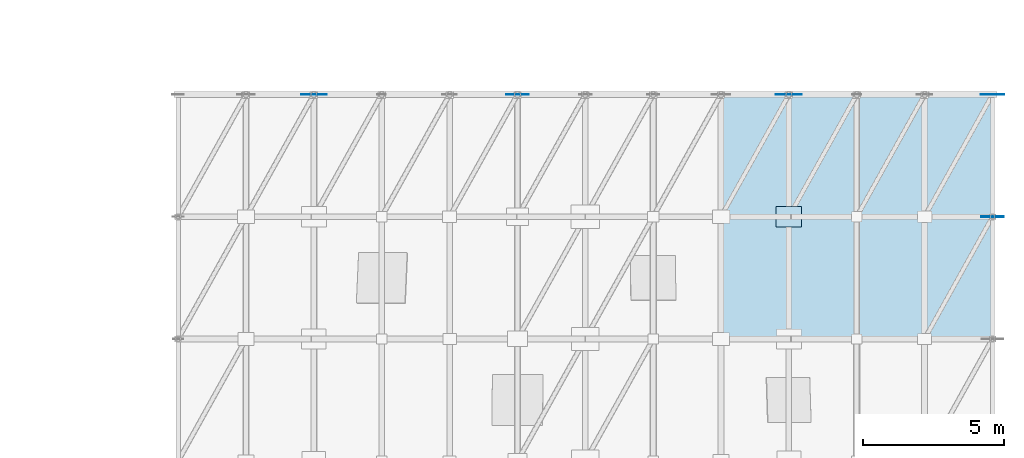
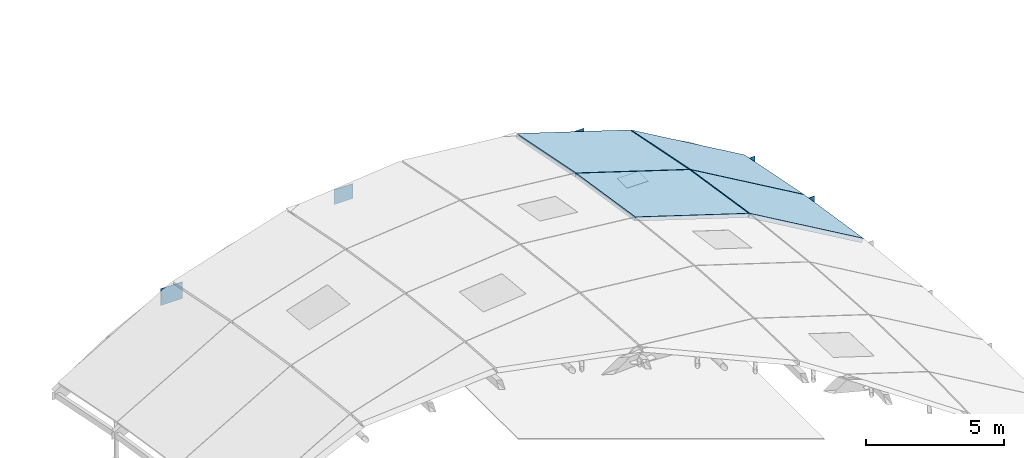
# One storey, part 25 of 35: 6 plates, 4 slabs.
"""IFC4 building model written with IfcOpenShell, lengths in metres."""

from ifc_helpers import new_model, si_unit, direction, frame, origin, origin_2d, place, context, subcontext, project, spatial, polyline, rectangle, outline, extrude, material, layer, layer_set, type_object, element, save


model = new_model("IFC4")

# Units and contexts
model_context = context("Model", 3, precision=1e-05, world=origin(), true_north=direction((0.0, 1.0)))
body_context = subcontext(model_context, "Body", "Model", "MODEL_VIEW")
ifc_project = project(units=[si_unit("LENGTHUNIT", "METRE"), si_unit("AREAUNIT", "SQUARE_METRE"), si_unit("VOLUMEUNIT", "CUBIC_METRE"), si_unit("PLANEANGLEUNIT", "RADIAN"), si_unit("MASSUNIT", "GRAM", prefix="KILO")], contexts=[model_context])

# Site, building, storey
site_placement = place(None, origin())
site = spatial("IfcSite", under=ifc_project, at=site_placement, CompositionType="ELEMENT")
building_placement = place(site_placement, origin())
building = spatial("IfcBuilding", under=site, at=building_placement, Name="Zarrinpeak Specialist Clinic", CompositionType="ELEMENT")
storey_placement = place(building_placement, frame((0.0, 0.0, 31.60009765625)))
storey = spatial("IfcBuildingStorey", under=building, at=storey_placement, Name="RF", CompositionType="ELEMENT", Elevation=31.60009765625)

# Plates
ifc_material_1 = material(Name="Steel S355", Category="steel")
ifc_layer_1 = layer(ifc_material_1, 0.02294921875)
ifc_layer_set_1 = layer_set([ifc_layer_1], Name="Steel S355")
plate_type_1 = type_object("IfcPlateType", Name="PL-ND24", PredefinedType="SHEET", material=ifc_layer_set_1)
for number, where, z_axis, x_axis, name in (
    (1, (105.60009765625, 72.0, -13.244384765625), (0.0, 0.0, 1.0), (1.0, 0.0, 0.0), "V3 Gridshell Hub Node Plate GSN-I05-J10"),
    (2, (122.39990234375, 67.679931640625, -17.06005859375), (0.0, 0.0, 1.0), (1.0, 0.0, 0.0), "V3 Gridshell Hub Node Plate GSN-I12-J09"),
):
    element("IfcPlate", number, at=place(storey_placement, frame(where, z_axis=z_axis, x_axis=x_axis)), inside=storey, type_object=plate_type_1, Name=name, PredefinedType="SHEET", context=body_context, shape_type="SweptSolid", body=[
        extrude(rectangle(XDim=0.7939453125, YDim=0.02294921875, at=origin_2d()), origin(), (0.0, 0.0, 1.0), 0.64794921875),
    ])
ifc_layer_2 = layer(ifc_material_1, 0.014892578125)
ifc_layer_set_2 = layer_set([ifc_layer_2], Name="Steel S355")
plate_type_2 = type_object("IfcPlateType", Name="PL-ND25", PredefinedType="SHEET", material=ifc_layer_set_2)
plate_1_placement = place(storey_placement, frame((122.39990234375, 72.0, -17.9326171875), z_axis=(0.0, 0.0, 1.0), x_axis=(1.0, 0.0, 0.0)))
element("IfcPlate", 3, at=plate_1_placement, inside=storey, type_object=plate_type_2, Name="V3 Gridshell Hub Node Plate GSN-I12-J10", PredefinedType="SHEET", context=body_context, shape_type="SweptSolid", body=[
    extrude(rectangle(XDim=0.81494140625, YDim=0.014892578125, at=origin_2d()), origin(), (0.0, 0.0, 1.0), 0.6650390625),
])
ifc_layer_3 = layer(ifc_material_1, 0.02294921875)
ifc_layer_set_3 = layer_set([ifc_layer_3], Name="Steel S355")
plate_type_3 = type_object("IfcPlateType", Name="PL-ND29", PredefinedType="SHEET", material=ifc_layer_set_3)
plate_2_placement = place(storey_placement, frame((98.39990234375, 72.0, -15.170166015625), z_axis=(0.0, 0.0, 1.0), x_axis=(1.0, 0.0, 0.0)))
element("IfcPlate", 4, at=plate_2_placement, inside=storey, type_object=plate_type_3, Name="V3 Gridshell Hub Node Plate GSN-I02-J10", PredefinedType="SHEET", context=body_context, shape_type="SweptSolid", body=[
    extrude(rectangle(XDim=0.89892578125, YDim=0.02294921875, at=origin_2d()), origin(), (0.0, 0.0, 1.0), 0.73291015625),
])
plate_3_placement = place(storey_placement, frame((115.199951171875, 67.679931640625, -13.052978515625), z_axis=(0.0, 0.0, 1.0), x_axis=(1.0, 0.0, 0.0)))
element("IfcPlate", 5, at=plate_3_placement, inside=storey, type_object=plate_type_3, Name="V3 Gridshell Hub Node Plate GSN-I09-J09", PredefinedType="SHEET", context=body_context, shape_type="SweptSolid", body=[
    extrude(rectangle(XDim=0.89892578125, YDim=0.73291015625, at=origin_2d()), origin(), (0.0, 0.0, 1.0), 0.02294921875),
])
ifc_layer_4 = layer(ifc_material_1, 0.014892578125)
ifc_layer_set_4 = layer_set([ifc_layer_4], Name="Steel S355")
plate_type_4 = type_object("IfcPlateType", Name="PL-ND30", PredefinedType="SHEET", material=ifc_layer_set_4)
plate_4_placement = place(storey_placement, frame((115.199951171875, 72.0, -14.280517578125), z_axis=(0.0, 0.0, 1.0), x_axis=(1.0, 0.0, 0.0)))
element("IfcPlate", 6, at=plate_4_placement, inside=storey, type_object=plate_type_4, Name="V3 Gridshell Hub Node Plate GSN-I09-J10", PredefinedType="SHEET", context=body_context, shape_type="SweptSolid", body=[
    extrude(rectangle(XDim=0.919921875, YDim=0.014892578125, at=origin_2d()), origin(), (0.0, 0.0, 1.0), 0.75),
])

# Slabs
ifc_material_2 = material(Name="Precast concrete C40/50", Category="concrete")
ifc_layer_5 = layer(ifc_material_2, 0.1650390625)
ifc_layer_set_5 = layer_set([ifc_layer_5], Name="Precast concrete C40/50")
slab_type_1 = type_object("IfcSlabType", Name="SL-GS165", PredefinedType="ROOF", material=ifc_layer_set_5)
slab_1_placement = place(storey_placement, frame((112.83203125, 63.3720703125, -11.2373046875), z_axis=(0.298336454683, 0.146725332873, 0.943115600815), x_axis=(0.953434513091, -3.400593e-06, -0.301600114779)))
element("IfcSlab", 7, at=slab_1_placement, inside=storey, type_object=slab_type_1, Name="V3 Translational Gridshell Vault Roof Panel K04-J08", PredefinedType="ROOF", context=body_context, shape_type="SweptSolid", body=[
    extrude(outline(polyline([(0.0, 0.0), (4.967357037046617, 2.7755575615628914e-17), (5.168949145792098, 4.342918235055775), (0.20151847590495878, 4.342884081244538), (0.0, 0.0)])), origin(), (0.0, 0.0, -1.0), 0.1650390625),
])
slab_2_placement = place(storey_placement, frame((112.83203125, 67.69189453125, -11.90966796875), z_axis=(0.296285619767, 0.187289929447, 0.936556092205), x_axis=(0.953427294255, 0.0, -0.301622934422)))
element("IfcSlab", 8, at=slab_2_placement, inside=storey, type_object=slab_type_1, Name="V3 Translational Gridshell Vault Roof Panel K04-J09", PredefinedType="ROOF", context=body_context, shape_type="SweptSolid", body=[
    extrude(outline(polyline([(0.0, 0.0), (4.9674306713386525, 0.0), (5.2265642421954865, 4.373533660275628), (0.2591335708568345, 4.373533660275629), (0.0, 0.0)])), origin(), (0.0, 0.0, -1.0), 0.1650390625),
])
ifc_layer_6 = layer(ifc_material_2, 0.179931640625)
ifc_layer_set_6 = layer_set([ifc_layer_6], Name="Precast concrete C40/50")
slab_type_2 = type_object("IfcSlabType", Name="SL-GS180", PredefinedType="ROOF", material=ifc_layer_set_6)
slab_3_placement = place(storey_placement, frame((117.632080078125, 63.3720703125, -12.76318359375), z_axis=(0.498818644652, 0.13323521209, 0.85640430756), x_axis=(0.864108140289, 2.541407e-06, -0.50330619098)))
element("IfcSlab", 9, at=slab_3_placement, inside=storey, type_object=slab_type_2, Name="V3 Translational Gridshell Vault Roof Panel K05-J08", PredefinedType="ROOF", context=body_context, shape_type="SweptSolid", body=[
    extrude(outline(polyline([(0.0, 0.0), (5.4806704973683145, 0.0), (5.816997099739146, 4.3345283778193355), (0.33644947985886425, 4.33455648532999), (0.0, 0.0)])), origin(), (0.0, 0.0, -1.0), 0.179931640625),
])
slab_4_placement = place(storey_placement, frame((117.632080078125, 67.69189453125, -13.435791015625), z_axis=(0.495953568903, 0.170301910626, 0.851485359081), x_axis=(0.864108031301, 3.229781e-06, -0.503306378094)))
element("IfcSlab", 10, at=slab_4_placement, inside=storey, type_object=slab_type_2, Name="V3 Translational Gridshell Vault Roof Panel K05-J09", PredefinedType="ROOF", context=body_context, shape_type="SweptSolid", body=[
    extrude(outline(polyline([(0.0, 0.0), (5.480670497379735, -5.551115123125783e-17), (5.91309041412018, 4.359811909923567), (0.43254279427415976, 4.3598478370834535), (0.0, 0.0)])), origin(), (0.0, 0.0, -1.0), 0.179931640625),
])

save(model, "model.ifc")
